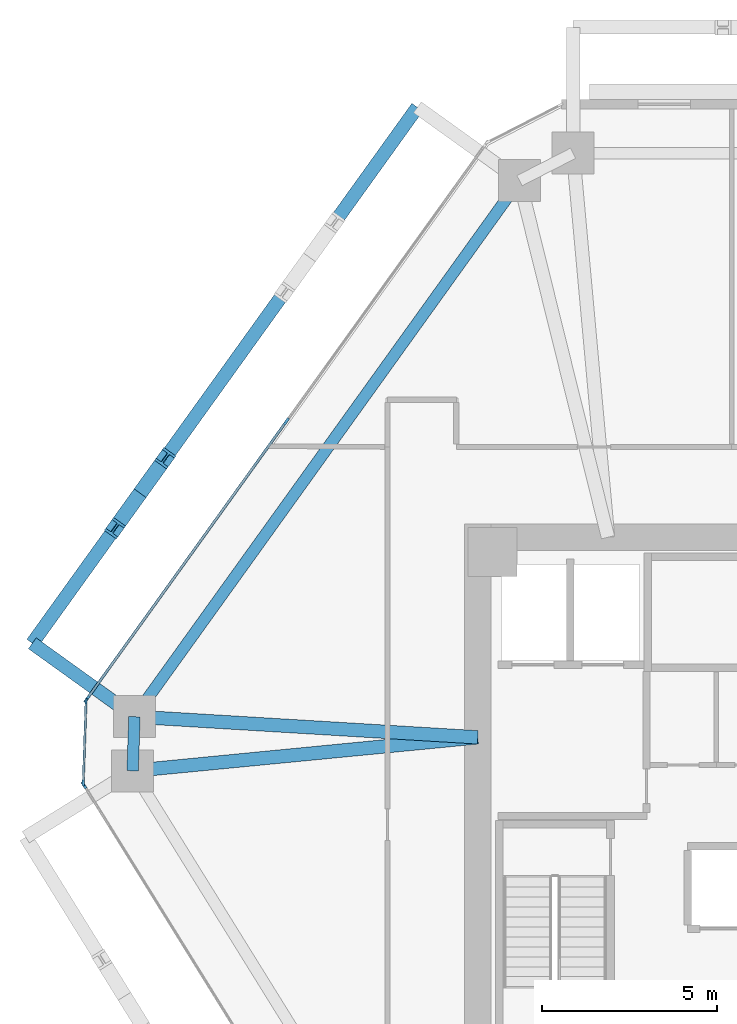
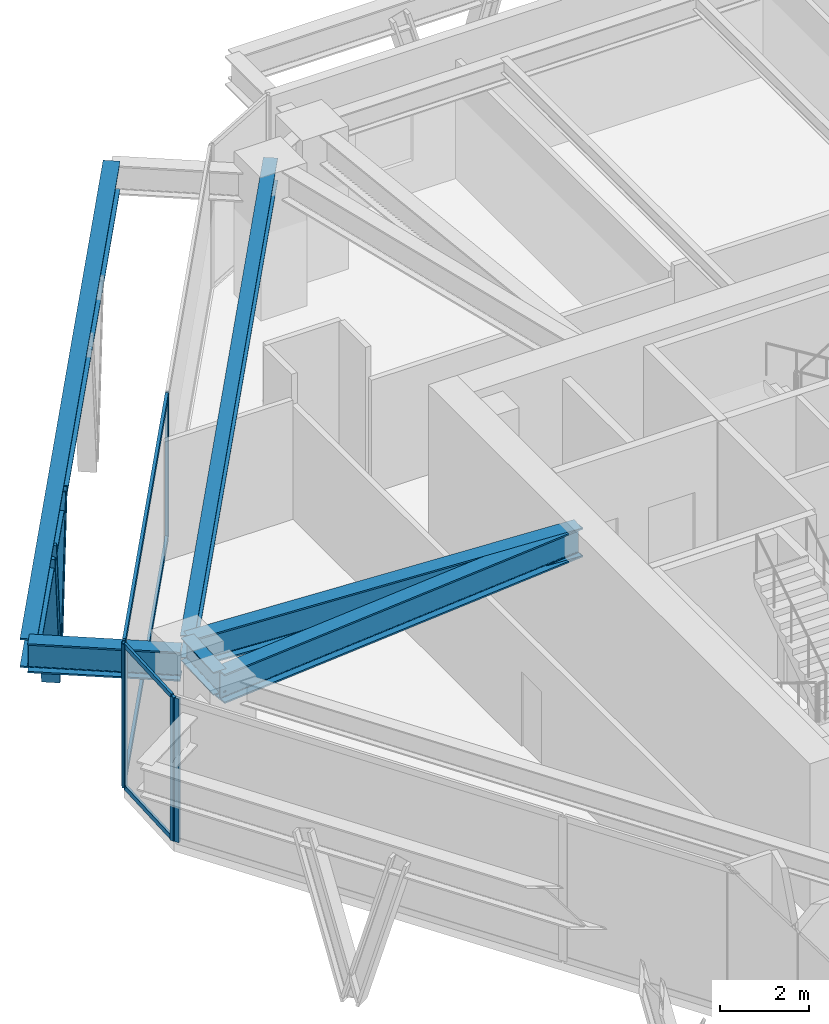
# One storey, part 4 of 14: 11 members, 6 beams, 3 elements without a shape of their own.
"""IFC4 building model written with IfcOpenShell, lengths in metres."""

from ifc_helpers import new_model, si_unit, direction, frame, origin, origin_2d, place, context, subcontext, project, spatial, rectangle, i_section, extrude, source, transform, mapped, material, layer, layer_set, material_profile, profile_set, type_object, type_shapes, element, aggregate, save


model = new_model("IFC4")

# Units and contexts
model_context = context("Model", 3, precision=1e-05, world=origin(), true_north=direction((0.0, 1.0)))
body_context = subcontext(model_context, "Body", "Model", "MODEL_VIEW")
ifc_project = project(units=[si_unit("LENGTHUNIT", "METRE"), si_unit("AREAUNIT", "SQUARE_METRE"), si_unit("VOLUMEUNIT", "CUBIC_METRE"), si_unit("PLANEANGLEUNIT", "RADIAN"), si_unit("MASSUNIT", "GRAM", prefix="KILO")], contexts=[model_context])

# Site, building, storey
site_placement = place(None, origin())
site = spatial("IfcSite", under=ifc_project, at=site_placement, CompositionType="ELEMENT")
building_placement = place(site_placement, origin())
building = spatial("IfcBuilding", under=site, at=building_placement, Name="Durnholm Broadcast Tower", CompositionType="ELEMENT")
storey_placement = place(building_placement, frame((0.0, 0.0, 93.300048828125)))
storey = spatial("IfcBuildingStorey", under=building, at=storey_placement, Name="L24", CompositionType="ELEMENT", Elevation=93.300048828125)

# Beams
ifc_material_1 = material(Name="Steel ASTM A992 Grade 50", Category="steel")
ifc_material_profile_1 = material_profile(ifc_material_1, i_section(OverallWidth=0.385009765625, OverallDepth=0.802978515625, WebThickness=0.023681640625, FlangeThickness=0.0419921875, FilletRadius=0.032958984375, at=origin_2d()), Name="W30X261")
ifc_profile_set_1 = profile_set([ifc_material_profile_1], Name="Steel ASTM A992 Grade 50")
beam_type_1 = type_object("IfcBeamType", Name="BM-EXO-TIE", PredefinedType="USERDEFINED", material=ifc_profile_set_1)
shared_shape_1 = source(origin(), body_context, "Body", "SweptSolid", [
    extrude(i_section(OverallWidth=0.385009765625, OverallDepth=0.802978515625, WebThickness=0.023681640625, FlangeThickness=0.0419921875, FilletRadius=0.032958984375, at=origin_2d()), origin(), (0.0, 0.0, 1.0), 3.4560546875),
])
beam_1_placement = place(storey_placement, frame((-20.1669921875, 3.175048828125, 3.20849609375), z_axis=(-0.812164951739, 0.583427880005, 0.0), x_axis=(-0.583427880005, -0.812164951739, 0.0)))
element("IfcBeam", 1, at=beam_1_placement, inside=storey, type_object=beam_type_1, Name="L24 exoskeleton stand-off tie bracket F5.2", ObjectType="GIRDER", PredefinedType="USERDEFINED", context=body_context, shape_type="MappedRepresentation", body=[
    mapped(shared_shape_1, transform((0.0, 0.0, 0.0), x_axis=(1.0, 0.0, 0.0), y_axis=(0.0, 1.0, 0.0), z_axis=(0.0, 0.0, 1.0), scale=1.0)),
])
ifc_material_profile_2 = material_profile(ifc_material_1, i_section(OverallWidth=0.3291015625, OverallDepth=0.635009765625, WebThickness=0.017822265625, FlangeThickness=0.031005859375, FilletRadius=0.02783203125, at=origin_2d()), Name="W24X162")
ifc_profile_set_2 = profile_set([ifc_material_profile_2], Name="Steel ASTM A992 Grade 50")
beam_type_2 = type_object("IfcBeamType", Name="STL-SP-W24X162", PredefinedType="SPANDREL", material=ifc_profile_set_2)
shared_shape_2 = source(origin(), body_context, "Body", "SweptSolid", [
    extrude(i_section(OverallWidth=0.3291015625, OverallDepth=0.635009765625, WebThickness=0.017822265625, FlangeThickness=0.031005859375, FilletRadius=0.02783203125, at=origin_2d()), origin(), (0.0, 0.0, 1.0), 1.550537109375),
])
beam_2_placement = place(storey_placement, frame((-20.102783203125, 1.54150390625, 3.62744140625), z_axis=(0.034012135923, 0.999421419928, 0.0), x_axis=(-0.999421419928, 0.034012135923, 0.0)))
element("IfcBeam", 2, at=beam_2_placement, inside=storey, type_object=beam_type_2, Name="L24 perimeter spandrel girder 02", PredefinedType="SPANDREL", context=body_context, shape_type="MappedRepresentation", body=[
    mapped(shared_shape_2, transform((0.0, 0.0, 0.0), x_axis=(1.0, 0.0, 0.0), y_axis=(0.0, 1.0, 0.0), z_axis=(0.0, 0.0, 1.0), scale=1.0)),
])
shared_shape_3 = source(origin(), body_context, "Body", "SweptSolid", [
    extrude(i_section(OverallWidth=0.3291015625, OverallDepth=0.635009765625, WebThickness=0.017822265625, FlangeThickness=0.031005859375, FilletRadius=0.02783203125, at=origin_2d()), origin(), (0.0, 0.0, 1.0), 18.884521484375),
])
type_shapes(beam_type_2, [shared_shape_2, shared_shape_3])
beam_3_placement = place(storey_placement, frame((-20.050048828125, 3.091064453125, 3.62744140625), z_axis=(0.583443434414, 0.812153777827, 0.0), x_axis=(-0.812153777827, 0.583443434414, 0.0)))
element("IfcBeam", 3, at=beam_3_placement, inside=storey, type_object=beam_type_2, Name="L24 perimeter spandrel girder 03", PredefinedType="SPANDREL", context=body_context, shape_type="MappedRepresentation", body=[
    mapped(shared_shape_3, transform((0.0, 0.0, 0.0), x_axis=(1.0, 0.0, 0.0), y_axis=(0.0, 1.0, 0.0), z_axis=(0.0, 0.0, 1.0), scale=1.0)),
])
ifc_material_profile_3 = material_profile(ifc_material_1, i_section(OverallWidth=0.385009765625, OverallDepth=0.802978515625, WebThickness=0.023681640625, FlangeThickness=0.0419921875, FilletRadius=0.032958984375, at=origin_2d()), Name="W30X261")
ifc_profile_set_3 = profile_set([ifc_material_profile_3], Name="Steel ASTM A992 Grade 50")
beam_type_3 = type_object("IfcBeamType", Name="STL-GR-W30X261", PredefinedType="USERDEFINED", material=ifc_profile_set_3)
shared_shape_4 = source(origin(), body_context, "Body", "SweptSolid", [
    extrude(i_section(OverallWidth=0.385009765625, OverallDepth=0.802978515625, WebThickness=0.023681640625, FlangeThickness=0.0419921875, FilletRadius=0.032958984375, at=origin_2d()), origin(), (0.0, 0.0, 1.0), 9.924072265625),
])
beam_4_placement = place(storey_placement, frame((-10.22509765625, 2.5, 3.54345703125), z_axis=(-0.995324947968, -0.096582855378, 0.0), x_axis=(0.096582855378, -0.995324947968, 0.0)))
element("IfcBeam", 4, at=beam_4_placement, inside=storey, type_object=beam_type_3, Name="L24 radial primary floor girder 02", ObjectType="GIRDER", PredefinedType="USERDEFINED", context=body_context, shape_type="MappedRepresentation", body=[
    mapped(shared_shape_4, transform((0.0, 0.0, 0.0), x_axis=(1.0, 0.0, 0.0), y_axis=(0.0, 1.0, 0.0), z_axis=(0.0, 0.0, 1.0), scale=1.0)),
])
shared_shape_5 = source(origin(), body_context, "Body", "SweptSolid", [
    extrude(i_section(OverallWidth=0.385009765625, OverallDepth=0.802978515625, WebThickness=0.023681640625, FlangeThickness=0.0419921875, FilletRadius=0.032958984375, at=origin_2d()), origin(), (0.0, 0.0, 1.0), 9.8427734375),
])
type_shapes(beam_type_3, [shared_shape_4, shared_shape_5])
beam_5_placement = place(storey_placement, frame((-10.22509765625, 2.5, 3.54345703125), z_axis=(-0.998195312551, 0.0600509617, 0.0), x_axis=(-0.0600509617, -0.998195312551, 0.0)))
element("IfcBeam", 5, at=beam_5_placement, inside=storey, type_object=beam_type_3, Name="L24 radial primary floor girder 03", ObjectType="GIRDER", PredefinedType="USERDEFINED", context=body_context, shape_type="MappedRepresentation", body=[
    mapped(shared_shape_5, transform((0.0, 0.0, 0.0), x_axis=(1.0, 0.0, 0.0), y_axis=(0.0, 1.0, 0.0), z_axis=(0.0, 0.0, 1.0), scale=1.0)),
])
shared_shape_6 = source(origin(), body_context, "Body", "SweptSolid", [
    extrude(i_section(OverallWidth=0.385009765625, OverallDepth=0.802978515625, WebThickness=0.023681640625, FlangeThickness=0.0419921875, FilletRadius=0.032958984375, at=origin_2d()), origin(), (0.0, 0.0, 1.0), 18.884765625),
])
type_shapes(beam_type_1, [shared_shape_1, shared_shape_6])
beam_6_placement = place(storey_placement, frame((-11.955810546875, 20.52880859375, 3.20849609375), z_axis=(-0.583437308554, -0.812158178551, 0.0), x_axis=(0.812158178551, -0.583437308554, 0.0)))
element("IfcBeam", 6, at=beam_6_placement, inside=storey, type_object=beam_type_1, Name="L24 exoskeleton collector spandrel F5", PredefinedType="SPANDREL", context=body_context, shape_type="MappedRepresentation", body=[
    mapped(shared_shape_6, transform((0.0, 0.0, 0.0), x_axis=(1.0, 0.0, 0.0), y_axis=(0.0, 1.0, 0.0), z_axis=(0.0, 0.0, 1.0), scale=1.0)),
])

# Members
ifc_material_2 = material(Name="Steel ASTM A913 Grade 65", Category="steel")
ifc_material_profile_4 = material_profile(ifc_material_2, i_section(OverallWidth=0.424072265625, OverallDepth=0.47412109375, WebThickness=0.047607421875, FlangeThickness=0.0771484375, FilletRadius=0.030517578125, at=origin_2d()), Name="W14X426")
ifc_profile_set_4 = profile_set([ifc_material_profile_4], Name="Steel ASTM A913 Grade 65")
member_type_1 = type_object("IfcMemberType", Name="STL-DG-W14X426", PredefinedType="BRACE", material=ifc_profile_set_4)
shared_shape_7 = source(origin(), body_context, "Body", "SweptSolid", [
    extrude(i_section(OverallWidth=0.424072265625, OverallDepth=0.47412109375, WebThickness=0.047607421875, FlangeThickness=0.0771484375, FilletRadius=0.030517578125, at=origin_2d()), origin(), (0.0, 0.0, 1.0), 4.43505859375),
])
type_shapes(member_type_1, [shared_shape_7])
for number, where, z_axis, x_axis, name in (
    (7, (-19.888916015625, 9.48583984375, -1.051513671875), (0.162333361984, 0.225967599506, 0.960513676925), (-0.812153063014, 0.583444429434, 0.0), "L24 stand-off diagrid brace F5.D2.1"),
    (8, (-19.888916015625, 9.48583984375, -1.051513671875), (-0.162281783347, -0.225917380887, 0.960534205433), (0.812179469647, -0.583407669717, 0.0), "L24 stand-off diagrid brace F5.D2.2"),
):
    element("IfcMember", number, at=place(storey_placement, frame(where, z_axis=z_axis, x_axis=x_axis)), inside=storey, type_object=member_type_1, Name=name, PredefinedType="BRACE", context=body_context, shape_type="MappedRepresentation", body=[
        mapped(shared_shape_7, transform((0.0, 0.0, 0.0), x_axis=(1.0, 0.0, 0.0), y_axis=(0.0, 1.0, 0.0), z_axis=(0.0, 0.0, 1.0), scale=1.0)),
    ])

# Curtain wall, members
ifc_material_3 = material(Name="Aluminium and Solar Control IGU", Category="aluminium")
ifc_layer_1 = layer(ifc_material_3, 0.1650390625)
ifc_layer_set_1 = layer_set([ifc_layer_1], Name="Aluminium and Solar Control IGU")
curtain_wall_type_1 = type_object("IfcCurtainWallType", Name="CW-SYS-5", PredefinedType="NOTDEFINED", material=ifc_layer_set_1)
curtain_wall_1_placement = place(storey_placement, origin())
curtain_wall_1 = element("IfcCurtainWall", 9, at=curtain_wall_1_placement, inside=storey, type_object=curtain_wall_type_1, Name="L24 curtain wall CW-CORNER CW-L24-CRN-01", PredefinedType="NOTDEFINED")
ifc_material_4 = material(Name="Aluminium 6063-T6", Category="aluminium")
ifc_material_profile_5 = material_profile(ifc_material_4, rectangle(XDim=0.06494140625, YDim=0.1650390625, at=origin_2d()), Name="CWM65X165")
ifc_profile_set_5 = profile_set([ifc_material_profile_5], Name="Aluminium 6063-T6")
member_type_2 = type_object("IfcMemberType", Name="CW-SYS-5-MUL", PredefinedType="MULLION", material=ifc_profile_set_5)
shared_shape_8 = source(origin(), body_context, "Body", "SweptSolid", [
    extrude(rectangle(XDim=0.06494140625, YDim=0.1650390625, at=origin_2d()), origin(), (0.0, 0.0, 1.0), 3.9599609375),
])
type_shapes(member_type_2, [shared_shape_8])
member_1_placement = place(storey_placement, frame((-21.51513671875, 1.19677734375, 0.0), z_axis=(0.0, 0.0, 1.0), x_axis=(-0.999424655155, 0.033916937775, 0.0)))
member_1 = element("IfcMember", 10, at=member_1_placement, type_object=member_type_2, Name="CW-CORNER mullion 1", PredefinedType="MULLION", context=body_context, shape_type="MappedRepresentation", body=[
    mapped(shared_shape_8, transform((0.0, 0.0, 0.0), x_axis=(1.0, 0.0, 0.0), y_axis=(0.0, 1.0, 0.0), z_axis=(0.0, 0.0, 1.0), scale=1.0)),
])
member_2_placement = place(storey_placement, frame((-21.43603515625, 3.530517578125, 0.0), z_axis=(0.0, 0.0, 1.0), x_axis=(-0.999424655155, 0.033916937775, 0.0)))
member_2 = element("IfcMember", 11, at=member_2_placement, type_object=member_type_2, Name="CW-CORNER mullion 2", PredefinedType="MULLION", context=body_context, shape_type="MappedRepresentation", body=[
    mapped(shared_shape_8, transform((0.0, 0.0, 0.0), x_axis=(1.0, 0.0, 0.0), y_axis=(0.0, 1.0, 0.0), z_axis=(0.0, 0.0, 1.0), scale=1.0)),
])
ifc_material_profile_6 = material_profile(ifc_material_4, rectangle(XDim=0.06494140625, YDim=0.1298828125, at=origin_2d()), Name="CWT65X130")
ifc_profile_set_6 = profile_set([ifc_material_profile_6], Name="Aluminium 6063-T6")
member_type_3 = type_object("IfcMemberType", Name="CW-SYS-5-TRN", PredefinedType="USERDEFINED", material=ifc_profile_set_6)
shared_shape_9 = source(origin(), body_context, "Body", "SweptSolid", [
    extrude(rectangle(XDim=0.06494140625, YDim=0.1298828125, at=origin_2d()), origin(), (0.0, 0.0, 1.0), 2.27001953125),
])
type_shapes(member_type_3, [shared_shape_9])
member_3_placement = place(storey_placement, frame((-21.51416015625, 1.229248046875, 0.032470703125), z_axis=(0.03398444704, 0.999422361847, 0.0), x_axis=(-0.999422361847, 0.03398444704, 0.0)))
member_3 = element("IfcMember", 12, at=member_3_placement, type_object=member_type_3, Name="CW-CORNER transom 1.1", ObjectType="TRANSOM", PredefinedType="USERDEFINED", context=body_context, shape_type="MappedRepresentation", body=[
    mapped(shared_shape_9, transform((0.0, 0.0, 0.0), x_axis=(1.0, 0.0, 0.0), y_axis=(0.0, 1.0, 0.0), z_axis=(0.0, 0.0, 1.0), scale=1.0)),
])
member_4_placement = place(storey_placement, frame((-21.51416015625, 1.229248046875, 3.927490234375), z_axis=(0.03398444704, 0.999422361847, 0.0), x_axis=(-0.999422361847, 0.03398444704, 0.0)))
member_4 = element("IfcMember", 13, at=member_4_placement, type_object=member_type_3, Name="CW-CORNER transom 1.2", ObjectType="TRANSOM", PredefinedType="USERDEFINED", context=body_context, shape_type="MappedRepresentation", body=[
    mapped(shared_shape_9, transform((0.0, 0.0, 0.0), x_axis=(1.0, 0.0, 0.0), y_axis=(0.0, 1.0, 0.0), z_axis=(0.0, 0.0, 1.0), scale=1.0)),
])
aggregate(curtain_wall_1, [member_1, member_2, member_3, member_4])

ifc_layer_2 = layer(ifc_material_3, 0.219970703125)
ifc_layer_set_2 = layer_set([ifc_layer_2], Name="Aluminium and Solar Control IGU")
curtain_wall_type_2 = type_object("IfcCurtainWallType", Name="CW-SYS-6", PredefinedType="NOTDEFINED", material=ifc_layer_set_2)
curtain_wall_2_placement = place(storey_placement, origin())
curtain_wall_2 = element("IfcCurtainWall", 14, at=curtain_wall_2_placement, inside=storey, type_object=curtain_wall_type_2, Name="L24 curtain wall CW-AMENITY CW-L24-F02", PredefinedType="NOTDEFINED")
ifc_material_profile_7 = material_profile(ifc_material_4, rectangle(XDim=0.074951171875, YDim=0.219970703125, at=origin_2d()), Name="CWM75X220")
ifc_profile_set_7 = profile_set([ifc_material_profile_7], Name="Aluminium 6063-T6")
member_type_4 = type_object("IfcMemberType", Name="CW-SYS-6-MUL", PredefinedType="MULLION", material=ifc_profile_set_7)
shared_shape_10 = source(origin(), body_context, "Body", "SweptSolid", [
    extrude(rectangle(XDim=0.074951171875, YDim=0.219970703125, at=origin_2d()), origin(), (0.0, 0.0, 1.0), 3.9599609375),
])
type_shapes(member_type_4, [shared_shape_10])
member_5_placement = place(storey_placement, frame((-21.4130859375, 3.593505859375, 0.0), z_axis=(0.0, 0.0, 1.0), x_axis=(-0.812152312759, 0.583445473786, 0.0)))
member_5 = element("IfcMember", 15, at=member_5_placement, type_object=member_type_4, Name="CW-AMENITY mullion 1", PredefinedType="MULLION", context=body_context, shape_type="MappedRepresentation", body=[
    mapped(shared_shape_10, transform((0.0, 0.0, 0.0), x_axis=(1.0, 0.0, 0.0), y_axis=(0.0, 1.0, 0.0), z_axis=(0.0, 0.0, 1.0), scale=1.0)),
])
member_6_placement = place(storey_placement, frame((-15.703369140625, 11.541259765625, 0.0), z_axis=(0.0, 0.0, 1.0), x_axis=(-0.812152312759, 0.583445473786, 0.0)))
member_6 = element("IfcMember", 16, at=member_6_placement, type_object=member_type_4, Name="CW-AMENITY mullion 2", PredefinedType="MULLION", context=body_context, shape_type="MappedRepresentation", body=[
    mapped(shared_shape_10, transform((0.0, 0.0, 0.0), x_axis=(1.0, 0.0, 0.0), y_axis=(0.0, 1.0, 0.0), z_axis=(0.0, 0.0, 1.0), scale=1.0)),
])

# Curtain wall, member
curtain_wall_3_placement = place(storey_placement, origin())
curtain_wall_3 = element("IfcCurtainWall", 17, at=curtain_wall_3_placement, inside=storey, type_object=curtain_wall_type_2, Name="L24 curtain wall CW-AMENITY CW-L24-F12", PredefinedType="NOTDEFINED")
member_7_placement = place(storey_placement, frame((-21.49658203125, 1.132568359375, 0.0), z_axis=(0.0, 0.0, 1.0), x_axis=(-0.849799925229, -0.527105385176, 0.0)))
member_7 = element("IfcMember", 18, at=member_7_placement, type_object=member_type_4, Name="CW-AMENITY mullion 3", PredefinedType="MULLION", context=body_context, shape_type="MappedRepresentation", body=[
    mapped(shared_shape_10, transform((0.0, 0.0, 0.0), x_axis=(1.0, 0.0, 0.0), y_axis=(0.0, 1.0, 0.0), z_axis=(0.0, 0.0, 1.0), scale=1.0)),
])
aggregate(curtain_wall_3, [member_7])

# Member
ifc_material_profile_8 = material_profile(ifc_material_4, rectangle(XDim=0.074951171875, YDim=0.179931640625, at=origin_2d()), Name="CWT75X180")
ifc_profile_set_8 = profile_set([ifc_material_profile_8], Name="Aluminium 6063-T6")
member_type_5 = type_object("IfcMemberType", Name="CW-SYS-6-TRN", PredefinedType="USERDEFINED", material=ifc_profile_set_8)
shared_shape_11 = source(origin(), body_context, "Body", "SweptSolid", [
    extrude(rectangle(XDim=0.074951171875, YDim=0.179931640625, at=origin_2d()), origin(), (0.0, 0.0, 1.0), 9.711181640625),
])
type_shapes(member_type_5, [shared_shape_11])
member_8_placement = place(storey_placement, frame((-21.39111328125, 3.6240234375, 0.037353515625), z_axis=(0.583450064535, 0.812149014771, 0.0), x_axis=(-0.812149014771, 0.583450064535, 0.0)))
member_8 = element("IfcMember", 19, at=member_8_placement, type_object=member_type_5, Name="CW-AMENITY transom 1.1", ObjectType="TRANSOM", PredefinedType="USERDEFINED", context=body_context, shape_type="MappedRepresentation", body=[
    mapped(shared_shape_11, transform((0.0, 0.0, 0.0), x_axis=(1.0, 0.0, 0.0), y_axis=(0.0, 1.0, 0.0), z_axis=(0.0, 0.0, 1.0), scale=1.0)),
])

member_9_placement = place(storey_placement, frame((-21.39111328125, 3.6240234375, 3.92236328125), z_axis=(0.583450064535, 0.812149014771, 0.0), x_axis=(-0.812149014771, 0.583450064535, 0.0)))
member_9 = element("IfcMember", 20, at=member_9_placement, type_object=member_type_5, Name="CW-AMENITY transom 1.2", ObjectType="TRANSOM", PredefinedType="USERDEFINED", context=body_context, shape_type="MappedRepresentation", body=[
    mapped(shared_shape_11, transform((0.0, 0.0, 0.0), x_axis=(1.0, 0.0, 0.0), y_axis=(0.0, 1.0, 0.0), z_axis=(0.0, 0.0, 1.0), scale=1.0)),
])

aggregate(curtain_wall_2, [member_5, member_6, member_8, member_9])

save(model, "model.ifc")
